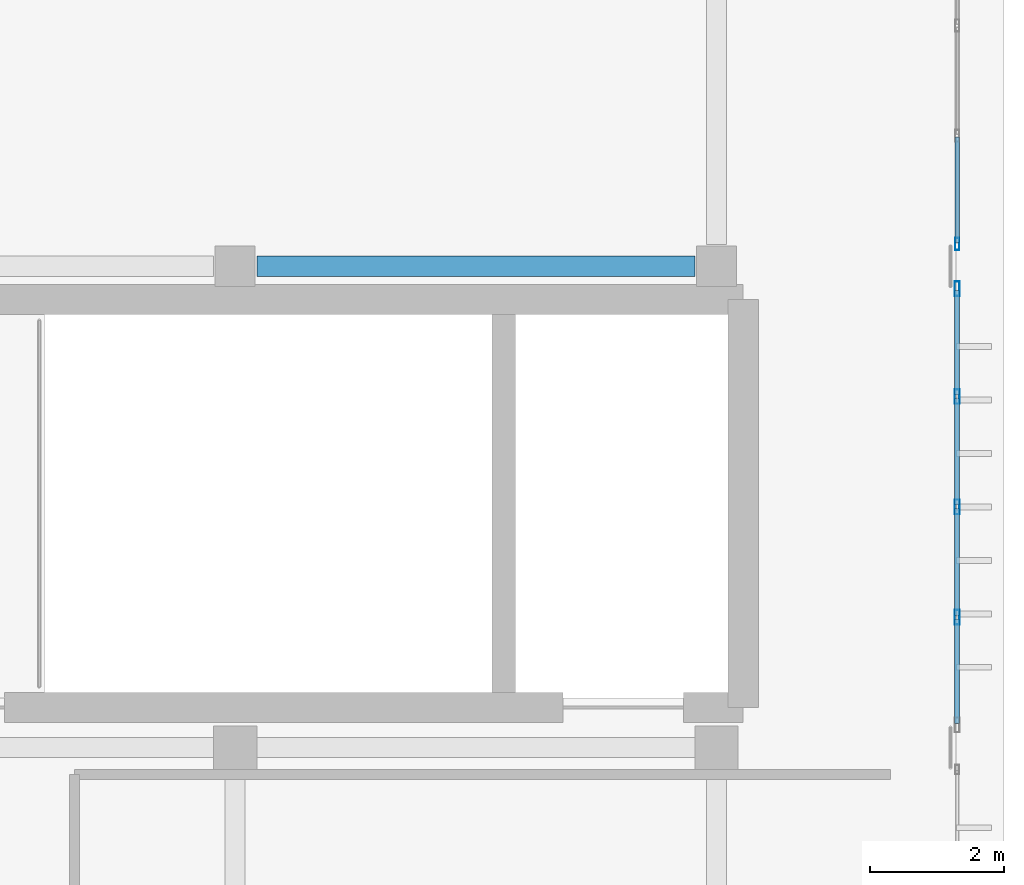
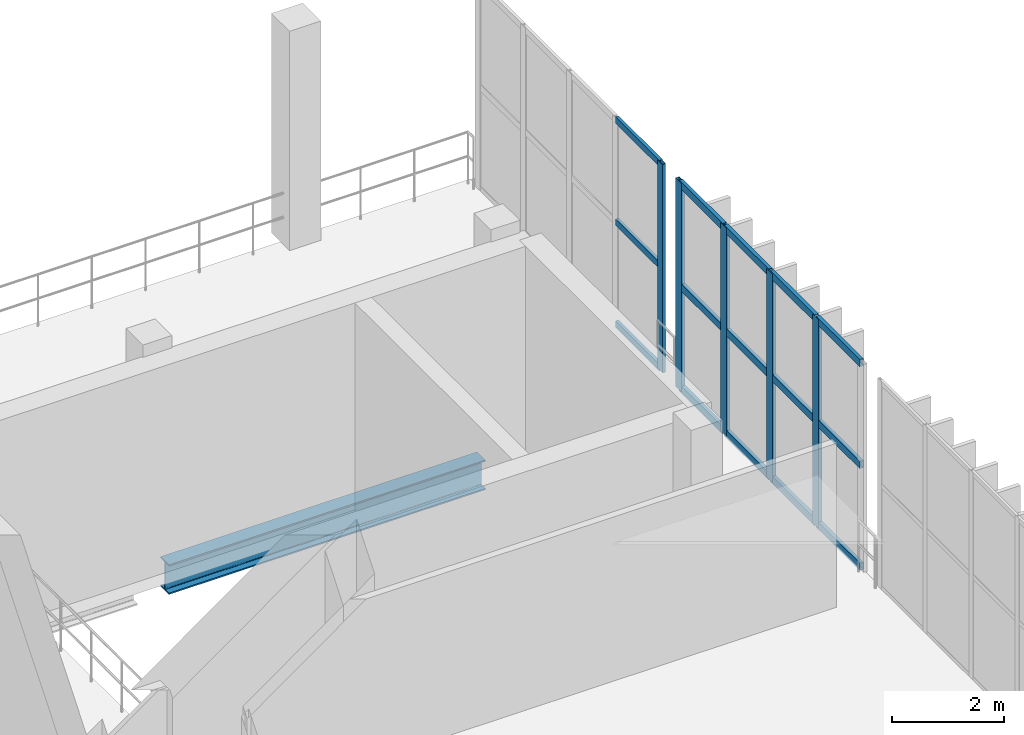
# One storey, part 66 of 105: 20 members, 1 beam, 2 elements without a shape of their own.
"""IFC4 building model written with IfcOpenShell, lengths in metres."""

import ifcopenshell
import ifcopenshell.guid

model = None  # the IFC model being written
_history = None  # IfcOwnerHistory: only IFC2X3 demands one
_inside = {}  # id of a spatial element -> (the spatial element, [elements in it])
_under = {}  # id of a project, library or spatial element -> (it, [spatial elements below it])
_declared = {}  # id of a project -> (the project, [libraries it declares])
_typed = {}  # id of a type object -> (the type object, [elements of that type])
_made_of = {}  # id of a material, layer set ... -> (it, [elements and type objects made of it])


def new_model(schema):
    """Start an empty IFC model of exactly this schema.

    Asked for "IFC4X3", IfcOpenShell would pick the latest addendum, in which some entities
    have other attributes; the version numbers below select the first issue.
    IFC2X3 requires an IfcOwnerHistory on every rooted entity: one is made here for all.
    """
    global model, _history
    if schema == "IFC4X3":
        model = ifcopenshell.file(schema_version=(4, 3, 0, 0))
    else:
        model = ifcopenshell.file(schema=schema)
    _inside.clear()
    _under.clear()
    _declared.clear()
    _typed.clear()
    _made_of.clear()
    _history = None
    if model.schema == "IFC2X3":
        org = make("IfcOrganization", Name="unknown")
        user = make(
            "IfcPersonAndOrganization",
            ThePerson=make("IfcPerson", FamilyName="unknown"),
            TheOrganization=org,
        )
        app = make(
            "IfcApplication",
            ApplicationDeveloper=org,
            Version="unknown",
            ApplicationFullName="unknown",
            ApplicationIdentifier="unknown",
        )
        _history = make(
            "IfcOwnerHistory",
            OwningUser=user,
            OwningApplication=app,
            ChangeAction="ADDED",
            CreationDate=0,
        )
    return model


def make(cls, **values):
    """One entity of the class cls with the attributes given. An attribute that is None is left unset."""
    return model.create_entity(
        cls, **{name: value for name, value in values.items() if value is not None}
    )


def rooted(cls, **values):
    """An entity with a GlobalId (a new one), such as an element, a storey or a relation."""
    return make(cls, GlobalId=ifcopenshell.guid.new(), OwnerHistory=_history, **values)


def si_unit(unit_type, name, prefix=None):
    """IfcSIUnit, for example si_unit("LENGTHUNIT", "METRE", prefix="MILLI")."""
    return make("IfcSIUnit", UnitType=unit_type, Prefix=prefix, Name=name)


def assignment(units):
    """IfcUnitAssignment: the units of a project."""
    return None if units is None else make("IfcUnitAssignment", Units=units)


def point(xyz):
    """IfcCartesianPoint."""
    return None if xyz is None else make("IfcCartesianPoint", Coordinates=xyz)


def direction(xyz):
    """IfcDirection."""
    return None if xyz is None else make("IfcDirection", DirectionRatios=xyz)


def frame(location, z_axis=None, x_axis=None):
    """IfcAxis2Placement3D, a coordinate frame: its origin and axes. An axis left out is left unset."""
    return make(
        "IfcAxis2Placement3D",
        Location=point(location),
        Axis=direction(z_axis),
        RefDirection=direction(x_axis),
    )


def frame_2d(location, x_axis=None):
    """IfcAxis2Placement2D, a coordinate frame in the plane: its origin and x axis."""
    return make(
        "IfcAxis2Placement2D", Location=point(location), RefDirection=direction(x_axis)
    )


def origin():
    """The frame at (0, 0, 0) with its axes left unset."""
    return frame((0.0, 0.0, 0.0))


def origin_2d():
    """The frame at (0, 0) in the plane with its x axis left unset."""
    return frame_2d((0.0, 0.0))


def place(relative_to, where):
    """IfcLocalPlacement: puts the frame where relative to a parent placement (None: the world)."""
    return make(
        "IfcLocalPlacement", PlacementRelTo=relative_to, RelativePlacement=where
    )


def context(
    kind, dimensions, precision=None, world=None, true_north=None, identifier=None
):
    """IfcGeometricRepresentationContext, for example the 3D "Model" context."""
    return make(
        "IfcGeometricRepresentationContext",
        ContextIdentifier=identifier,
        ContextType=kind,
        CoordinateSpaceDimension=dimensions,
        Precision=precision,
        WorldCoordinateSystem=world,
        TrueNorth=true_north,
    )


def subcontext(parent, identifier, kind, view, scale=None):
    """IfcGeometricRepresentationSubContext, for example "Body" below "Model"."""
    return make(
        "IfcGeometricRepresentationSubContext",
        ContextIdentifier=identifier,
        ContextType=kind,
        ParentContext=parent,
        TargetScale=scale,
        TargetView=view,
    )


def project(units=None, contexts=None):
    """IfcProject with its units and contexts."""
    return rooted(
        "IfcProject",
        Name="project",
        RepresentationContexts=contexts,
        UnitsInContext=assignment(units),
    )


def spatial(cls, under=None, at=None, **own):
    """A site, building, storey or space (cls), placed at a placement, below another one or the project."""
    s = rooted(cls, ObjectPlacement=at, **own)
    if under is not None:
        _under.setdefault(under.id(), (under, []))[1].append(s)
    return s


def profile(cls, at=None, kind="AREA", **sizes):
    """A parametric profile (cls). Its sizes go by their IFC names, for example OverallWidth=200.0."""
    return make(cls, ProfileType=kind, Position=at, **sizes)


def hollow_rectangle(**sizes):
    """IfcRectangleHollowProfileDef."""
    return profile("IfcRectangleHollowProfileDef", **sizes)


def i_section(**sizes):
    """IfcIShapeProfileDef."""
    return profile("IfcIShapeProfileDef", **sizes)


def extrude(swept, where, along, depth):
    """IfcExtrudedAreaSolid: the profile swept, set in the frame where, extruded along a direction by depth."""
    return make(
        "IfcExtrudedAreaSolid",
        SweptArea=swept,
        Position=where,
        ExtrudedDirection=direction(along),
        Depth=depth,
    )


def shape(context_of_items, identifier, shape_type, items):
    """IfcShapeRepresentation: the items that make up one representation, for example the "Body"."""
    return make(
        "IfcShapeRepresentation",
        ContextOfItems=context_of_items,
        RepresentationIdentifier=identifier,
        RepresentationType=shape_type,
        Items=items,
    )


def material(Name=None, Category=None):
    """IfcMaterial."""
    return make("IfcMaterial", Name=Name, Category=Category)


def material_profile(
    of_material, cross_section, Name=None, Category=None, Priority=None
):
    """IfcMaterialProfile: a cross section and its material."""
    return make(
        "IfcMaterialProfile",
        Name=Name,
        Material=of_material,
        Profile=cross_section,
        Priority=Priority,
        Category=Category,
    )


def profile_set(profiles, Name=None, composite=None):
    """IfcMaterialProfileSet."""
    return make(
        "IfcMaterialProfileSet",
        Name=Name,
        MaterialProfiles=profiles,
        CompositeProfile=composite,
    )


def made_of(thing, what):
    """Note that an element or type object is made of a material, layer set ...; save() writes the relation."""
    if what is not None:
        _made_of.setdefault(what.id(), (what, []))[1].append(thing)
    return thing


def type_object(cls, material=None, **own):
    """A type object (cls), such as IfcWallType, which elements share."""
    return made_of(rooted(cls, **own), material)


def element(
    cls,
    number,
    at=None,
    inside=None,
    cuts=None,
    type_object=None,
    material=None,
    context=None,
    identifier="Body",
    shape_type=None,
    held_by="IfcProductDefinitionShape",
    body=None,
    shapes=None,
    **own,
):
    """One element of the class cls, such as IfcWall. Its Tag is "e" and its number.

    at: its placement. inside: the storey or other place that contains it. cuts: it is an
    opening in that element (IfcRelVoidsElement). A single representation is given by context,
    identifier, shape_type and body (its items); several are given by shapes. held_by: the class
    of the entity that holds the representations. save() writes the other relations.
    """
    e = rooted(cls, Tag="e%d" % number, ObjectPlacement=at, **own)
    if body is not None:
        shapes = [shape(context, identifier, shape_type, body)]
    if shapes is not None:
        e.Representation = make(held_by, Representations=shapes)
    if inside is not None:
        _inside.setdefault(inside.id(), (inside, []))[1].append(e)
    if cuts is not None:
        rooted(
            "IfcRelVoidsElement", RelatingBuildingElement=cuts, RelatedOpeningElement=e
        )
    if type_object is not None:
        _typed.setdefault(type_object.id(), (type_object, []))[1].append(e)
    return made_of(e, material)


def aggregate(whole, parts):
    """IfcRelAggregates: a whole, such as a stair, and the parts it consists of."""
    return rooted("IfcRelAggregates", RelatingObject=whole, RelatedObjects=parts)


def save(model, path):
    """Write the relations noted so far, then the file.

    IfcRelAggregates (storeys below a building ...), IfcRelContainedInSpatialStructure (elements
    in a storey), IfcRelDefinesByType, IfcRelAssociatesMaterial and IfcRelDeclares: one each for
    every whole, place, type object, material and project.
    """
    for whole, parts in _under.values():
        aggregate(whole, parts)
    for where, things in _inside.values():
        rooted(
            "IfcRelContainedInSpatialStructure",
            RelatedElements=things,
            RelatingStructure=where,
        )
    for kind, things in _typed.values():
        rooted("IfcRelDefinesByType", RelatedObjects=things, RelatingType=kind)
    for what, things in _made_of.values():
        rooted("IfcRelAssociatesMaterial", RelatedObjects=things, RelatingMaterial=what)
    for by, libraries in _declared.values():
        rooted("IfcRelDeclares", RelatingContext=by, RelatedDefinitions=libraries)
    model.write(path)


model = new_model("IFC4")

# Units and contexts
model_context = context("Model", 3, precision=1e-05, world=origin(), true_north=direction((0.0, 1.0)))
body_context = subcontext(model_context, "Body", "Model", "MODEL_VIEW")
ifc_project = project(units=[si_unit("LENGTHUNIT", "METRE"), si_unit("AREAUNIT", "SQUARE_METRE"), si_unit("VOLUMEUNIT", "CUBIC_METRE"), si_unit("PLANEANGLEUNIT", "RADIAN"), si_unit("MASSUNIT", "GRAM", prefix="KILO")], contexts=[model_context])

# Site, building, storey
site_placement = place(None, origin())
site = spatial("IfcSite", under=ifc_project, at=site_placement, CompositionType="ELEMENT")
building_placement = place(site_placement, origin())
building = spatial("IfcBuilding", under=site, at=building_placement, Name="Qandorah Velis Arena", CompositionType="ELEMENT")
storey_placement = place(building_placement, frame((0.0, 0.0, 13.800048828125)))
storey = spatial("IfcBuildingStorey", under=building, at=storey_placement, Name="L03", CompositionType="ELEMENT", Elevation=13.800048828125)

# Curtain wall, member
ifc_material_1 = material(Name="Solar-control low-E double glazing", Category="glass")
curtain_wall_type_1 = type_object("IfcCurtainWallType", Name="ARC-CW-SYS14", PredefinedType="USERDEFINED", material=ifc_material_1)
curtain_wall_1_placement = place(storey_placement, origin())
curtain_wall_1 = element("IfcCurtainWall", 1, at=curtain_wall_1_placement, inside=storey, type_object=curtain_wall_type_1, Name="Unitised curtain wall L03-158", ObjectType="UNITISED CURTAIN WALL", PredefinedType="USERDEFINED")
ifc_material_2 = material(Name="Champagne-bronze anodized aluminium 6063-T6", Category="aluminium")
ifc_material_profile_1 = material_profile(ifc_material_2, hollow_rectangle(XDim=0.06494140625, YDim=0.179931640625, WallThickness=0.00341796875, at=origin_2d()), Name="ALU MULLION 65x180")
ifc_profile_set_1 = profile_set([ifc_material_profile_1], Name="Champagne-bronze anodized aluminium 6063-T6")
member_type_1 = type_object("IfcMemberType", Name="ARC-CWM-180", PredefinedType="MULLION", material=ifc_profile_set_1)
member_1_placement = place(storey_placement, frame((169.199951171875, 86.732421875, -0.01513671875), z_axis=(0.0, 0.0, 1.0), x_axis=(-1.0, 0.0, 0.0)))
member_1 = element("IfcMember", 2, at=member_1_placement, type_object=member_type_1, Name="CW14 mullion 1", PredefinedType="MULLION", context=body_context, shape_type="SweptSolid", body=[
    extrude(hollow_rectangle(XDim=0.06494140625, YDim=0.179931640625, WallThickness=0.00341796875, at=origin_2d()), origin(), (0.0, 0.0, 1.0), 4.56005859375),
])

# Curtain wall, members
curtain_wall_type_2 = type_object("IfcCurtainWallType", Name="ARC-CW-SYS13", PredefinedType="USERDEFINED", material=ifc_material_1)
curtain_wall_2_placement = place(storey_placement, origin())
curtain_wall_2 = element("IfcCurtainWall", 3, at=curtain_wall_2_placement, inside=storey, type_object=curtain_wall_type_2, Name="Unitised curtain wall L03-157", ObjectType="UNITISED CURTAIN WALL", PredefinedType="USERDEFINED")
ifc_material_profile_2 = material_profile(ifc_material_2, hollow_rectangle(XDim=0.074951171875, YDim=0.219970703125, WallThickness=0.00390625, at=origin_2d()), Name="ALU MULLION 75x220")
ifc_profile_set_2 = profile_set([ifc_material_profile_2], Name="Champagne-bronze anodized aluminium 6063-T6")
member_type_2 = type_object("IfcMemberType", Name="ARC-CWM-220", PredefinedType="MULLION", material=ifc_profile_set_2)
member_2_placement = place(storey_placement, frame((169.199951171875, 81.14990234375, -0.01513671875), z_axis=(0.0, 0.0, 1.0), x_axis=(-1.0, 0.0, 0.0)))
member_2 = element("IfcMember", 4, at=member_2_placement, type_object=member_type_2, Name="CW13 mullion 2", PredefinedType="MULLION", context=body_context, shape_type="SweptSolid", body=[
    extrude(hollow_rectangle(XDim=0.074951171875, YDim=0.219970703125, WallThickness=0.00390625, at=origin_2d()), origin(), (0.0, 0.0, 1.0), 4.56005859375),
])
member_3_placement = place(storey_placement, frame((169.199951171875, 82.800048828125, -0.01513671875), z_axis=(0.0, 0.0, 1.0), x_axis=(-1.0, 0.0, 0.0)))
member_3 = element("IfcMember", 5, at=member_3_placement, type_object=member_type_2, Name="CW13 mullion 3", PredefinedType="MULLION", context=body_context, shape_type="SweptSolid", body=[
    extrude(hollow_rectangle(XDim=0.074951171875, YDim=0.219970703125, WallThickness=0.00390625, at=origin_2d()), origin(), (0.0, 0.0, 1.0), 4.56005859375),
])
member_4_placement = place(storey_placement, frame((169.199951171875, 84.449951171875, -0.01513671875), z_axis=(0.0, 0.0, 1.0), x_axis=(-1.0, 0.0, 0.0)))
member_4 = element("IfcMember", 6, at=member_4_placement, type_object=member_type_2, Name="CW13 mullion 4", PredefinedType="MULLION", context=body_context, shape_type="SweptSolid", body=[
    extrude(hollow_rectangle(XDim=0.074951171875, YDim=0.219970703125, WallThickness=0.00390625, at=origin_2d()), origin(), (0.0, 0.0, 1.0), 4.56005859375),
])
member_5_placement = place(storey_placement, frame((169.199951171875, 86.0625, -0.01513671875), z_axis=(0.0, 0.0, 1.0), x_axis=(-1.0, 0.0, 0.0)))
member_5 = element("IfcMember", 7, at=member_5_placement, type_object=member_type_2, Name="CW13 mullion 5", PredefinedType="MULLION", context=body_context, shape_type="SweptSolid", body=[
    extrude(hollow_rectangle(XDim=0.074951171875, YDim=0.219970703125, WallThickness=0.00390625, at=origin_2d()), origin(), (0.0, 0.0, 1.0), 4.56005859375),
])

# Member
ifc_material_profile_3 = material_profile(ifc_material_2, hollow_rectangle(XDim=0.06494140625, YDim=0.139892578125, WallThickness=0.0029296875, at=origin_2d()), Name="ALU TRANSOM 65x140")
ifc_profile_set_3 = profile_set([ifc_material_profile_3], Name="Champagne-bronze anodized aluminium 6063-T6")
member_type_3 = type_object("IfcMemberType", Name="ARC-CWT-140", PredefinedType="USERDEFINED", material=ifc_profile_set_3)
member_6_placement = place(storey_placement, frame((169.199951171875, 86.7529296875, 0.032470703125), z_axis=(0.0, 1.0, 0.0), x_axis=(-1.0, 0.0, 0.0)))
member_6 = element("IfcMember", 8, at=member_6_placement, type_object=member_type_3, Name="CW14 transom 1.1", ObjectType="TRANSOM", PredefinedType="USERDEFINED", context=body_context, shape_type="SweptSolid", body=[
    extrude(hollow_rectangle(XDim=0.06494140625, YDim=0.139892578125, WallThickness=0.0029296875, at=origin_2d()), origin(), (0.0, 0.0, 1.0), 1.57666015625),
])

member_7_placement = place(storey_placement, frame((169.199951171875, 86.7529296875, 2.264892578125), z_axis=(0.0, 1.0, 0.0), x_axis=(-1.0, 0.0, 0.0)))
member_7 = element("IfcMember", 9, at=member_7_placement, type_object=member_type_3, Name="CW14 transom 1.2", ObjectType="TRANSOM", PredefinedType="USERDEFINED", context=body_context, shape_type="SweptSolid", body=[
    extrude(hollow_rectangle(XDim=0.06494140625, YDim=0.139892578125, WallThickness=0.0029296875, at=origin_2d()), origin(), (0.0, 0.0, 1.0), 1.57666015625),
])

member_8_placement = place(storey_placement, frame((169.199951171875, 86.7529296875, 4.49755859375), z_axis=(0.0, 1.0, 0.0), x_axis=(-1.0, 0.0, 0.0)))
member_8 = element("IfcMember", 10, at=member_8_placement, type_object=member_type_3, Name="CW14 transom 1.3", ObjectType="TRANSOM", PredefinedType="USERDEFINED", context=body_context, shape_type="SweptSolid", body=[
    extrude(hollow_rectangle(XDim=0.06494140625, YDim=0.139892578125, WallThickness=0.0029296875, at=origin_2d()), origin(), (0.0, 0.0, 1.0), 1.57666015625),
])

aggregate(curtain_wall_1, [member_1, member_6, member_7, member_8])

ifc_material_profile_4 = material_profile(ifc_material_2, hollow_rectangle(XDim=0.074951171875, YDim=0.159912109375, WallThickness=0.00341796875, at=origin_2d()), Name="ALU TRANSOM 75x160")
ifc_profile_set_4 = profile_set([ifc_material_profile_4], Name="Champagne-bronze anodized aluminium 6063-T6")
member_type_4 = type_object("IfcMemberType", Name="ARC-CWT-160", PredefinedType="USERDEFINED", material=ifc_profile_set_4)
member_9_placement = place(storey_placement, frame((169.199951171875, 79.56298828125, 0.037353515625), z_axis=(0.0, 1.0, 0.0), x_axis=(-1.0, 0.0, 0.0)))
member_9 = element("IfcMember", 11, at=member_9_placement, type_object=member_type_4, Name="CW13 transom 1.1", ObjectType="TRANSOM", PredefinedType="USERDEFINED", context=body_context, shape_type="SweptSolid", body=[
    extrude(hollow_rectangle(XDim=0.074951171875, YDim=0.159912109375, WallThickness=0.00341796875, at=origin_2d()), origin(), (0.0, 0.0, 1.0), 1.5615234375),
])

member_10_placement = place(storey_placement, frame((169.199951171875, 79.56298828125, 2.264892578125), z_axis=(0.0, 1.0, 0.0), x_axis=(-1.0, 0.0, 0.0)))
member_10 = element("IfcMember", 12, at=member_10_placement, type_object=member_type_4, Name="CW13 transom 1.2", ObjectType="TRANSOM", PredefinedType="USERDEFINED", context=body_context, shape_type="SweptSolid", body=[
    extrude(hollow_rectangle(XDim=0.074951171875, YDim=0.159912109375, WallThickness=0.00341796875, at=origin_2d()), origin(), (0.0, 0.0, 1.0), 1.5615234375),
])

member_11_placement = place(storey_placement, frame((169.199951171875, 79.56298828125, 4.492431640625), z_axis=(0.0, 1.0, 0.0), x_axis=(-1.0, 0.0, 0.0)))
member_11 = element("IfcMember", 13, at=member_11_placement, type_object=member_type_4, Name="CW13 transom 1.3", ObjectType="TRANSOM", PredefinedType="USERDEFINED", context=body_context, shape_type="SweptSolid", body=[
    extrude(hollow_rectangle(XDim=0.074951171875, YDim=0.159912109375, WallThickness=0.00341796875, at=origin_2d()), origin(), (0.0, 0.0, 1.0), 1.5615234375),
])

member_12_placement = place(storey_placement, frame((169.199951171875, 81.175537109375, 0.037353515625), z_axis=(0.0, 1.0, 0.0), x_axis=(-1.0, 0.0, 0.0)))
member_12 = element("IfcMember", 14, at=member_12_placement, type_object=member_type_4, Name="CW13 transom 2.1", ObjectType="TRANSOM", PredefinedType="USERDEFINED", context=body_context, shape_type="SweptSolid", body=[
    extrude(hollow_rectangle(XDim=0.074951171875, YDim=0.159912109375, WallThickness=0.00341796875, at=origin_2d()), origin(), (0.0, 0.0, 1.0), 1.598876953125),
])

member_13_placement = place(storey_placement, frame((169.199951171875, 81.175537109375, 2.264892578125), z_axis=(0.0, 1.0, 0.0), x_axis=(-1.0, 0.0, 0.0)))
member_13 = element("IfcMember", 15, at=member_13_placement, type_object=member_type_4, Name="CW13 transom 2.2", ObjectType="TRANSOM", PredefinedType="USERDEFINED", context=body_context, shape_type="SweptSolid", body=[
    extrude(hollow_rectangle(XDim=0.074951171875, YDim=0.159912109375, WallThickness=0.00341796875, at=origin_2d()), origin(), (0.0, 0.0, 1.0), 1.598876953125),
])

member_14_placement = place(storey_placement, frame((169.199951171875, 81.175537109375, 4.492431640625), z_axis=(0.0, 1.0, 0.0), x_axis=(-1.0, 0.0, 0.0)))
member_14 = element("IfcMember", 16, at=member_14_placement, type_object=member_type_4, Name="CW13 transom 2.3", ObjectType="TRANSOM", PredefinedType="USERDEFINED", context=body_context, shape_type="SweptSolid", body=[
    extrude(hollow_rectangle(XDim=0.074951171875, YDim=0.159912109375, WallThickness=0.00341796875, at=origin_2d()), origin(), (0.0, 0.0, 1.0), 1.598876953125),
])

member_15_placement = place(storey_placement, frame((169.199951171875, 82.825439453125, 0.037353515625), z_axis=(0.0, 1.0, 0.0), x_axis=(-1.0, 0.0, 0.0)))
member_15 = element("IfcMember", 17, at=member_15_placement, type_object=member_type_4, Name="CW13 transom 3.1", ObjectType="TRANSOM", PredefinedType="USERDEFINED", context=body_context, shape_type="SweptSolid", body=[
    extrude(hollow_rectangle(XDim=0.074951171875, YDim=0.159912109375, WallThickness=0.00341796875, at=origin_2d()), origin(), (0.0, 0.0, 1.0), 1.59912109375),
])

member_16_placement = place(storey_placement, frame((169.199951171875, 82.825439453125, 2.264892578125), z_axis=(0.0, 1.0, 0.0), x_axis=(-1.0, 0.0, 0.0)))
member_16 = element("IfcMember", 18, at=member_16_placement, type_object=member_type_4, Name="CW13 transom 3.2", ObjectType="TRANSOM", PredefinedType="USERDEFINED", context=body_context, shape_type="SweptSolid", body=[
    extrude(hollow_rectangle(XDim=0.074951171875, YDim=0.159912109375, WallThickness=0.00341796875, at=origin_2d()), origin(), (0.0, 0.0, 1.0), 1.59912109375),
])

member_17_placement = place(storey_placement, frame((169.199951171875, 82.825439453125, 4.492431640625), z_axis=(0.0, 1.0, 0.0), x_axis=(-1.0, 0.0, 0.0)))
member_17 = element("IfcMember", 19, at=member_17_placement, type_object=member_type_4, Name="CW13 transom 3.3", ObjectType="TRANSOM", PredefinedType="USERDEFINED", context=body_context, shape_type="SweptSolid", body=[
    extrude(hollow_rectangle(XDim=0.074951171875, YDim=0.159912109375, WallThickness=0.00341796875, at=origin_2d()), origin(), (0.0, 0.0, 1.0), 1.59912109375),
])

member_18_placement = place(storey_placement, frame((169.199951171875, 84.4755859375, 0.037353515625), z_axis=(0.0, 1.0, 0.0), x_axis=(-1.0, 0.0, 0.0)))
member_18 = element("IfcMember", 20, at=member_18_placement, type_object=member_type_4, Name="CW13 transom 4.1", ObjectType="TRANSOM", PredefinedType="USERDEFINED", context=body_context, shape_type="SweptSolid", body=[
    extrude(hollow_rectangle(XDim=0.074951171875, YDim=0.159912109375, WallThickness=0.00341796875, at=origin_2d()), origin(), (0.0, 0.0, 1.0), 1.5615234375),
])

member_19_placement = place(storey_placement, frame((169.199951171875, 84.4755859375, 2.264892578125), z_axis=(0.0, 1.0, 0.0), x_axis=(-1.0, 0.0, 0.0)))
member_19 = element("IfcMember", 21, at=member_19_placement, type_object=member_type_4, Name="CW13 transom 4.2", ObjectType="TRANSOM", PredefinedType="USERDEFINED", context=body_context, shape_type="SweptSolid", body=[
    extrude(hollow_rectangle(XDim=0.074951171875, YDim=0.159912109375, WallThickness=0.00341796875, at=origin_2d()), origin(), (0.0, 0.0, 1.0), 1.5615234375),
])

member_20_placement = place(storey_placement, frame((169.199951171875, 84.4755859375, 4.492431640625), z_axis=(0.0, 1.0, 0.0), x_axis=(-1.0, 0.0, 0.0)))
member_20 = element("IfcMember", 22, at=member_20_placement, type_object=member_type_4, Name="CW13 transom 4.3", ObjectType="TRANSOM", PredefinedType="USERDEFINED", context=body_context, shape_type="SweptSolid", body=[
    extrude(hollow_rectangle(XDim=0.074951171875, YDim=0.159912109375, WallThickness=0.00341796875, at=origin_2d()), origin(), (0.0, 0.0, 1.0), 1.5615234375),
])

aggregate(curtain_wall_2, [member_2, member_3, member_4, member_5, member_9, member_10, member_11, member_12, member_13, member_14, member_15, member_16, member_17, member_18, member_19, member_20])

# Beam
ifc_material_3 = material(Name="Steel S355", Category="steel")
ifc_material_profile_5 = material_profile(ifc_material_3, i_section(OverallWidth=0.300048828125, OverallDepth=0.64990234375, WebThickness=0.01611328125, FlangeThickness=0.031005859375, FilletRadius=0.027099609375, at=origin_2d()), Name="HEB 650")
ifc_profile_set_5 = profile_set([ifc_material_profile_5], Name="Steel S355")
beam_type = type_object("IfcBeamType", Name="STR-BM-HEB650", PredefinedType="BEAM", material=ifc_profile_set_5)
beam_placement = place(storey_placement, frame((158.72509765625, 86.39990234375, -0.64501953125), z_axis=(1.0, 0.0, 0.0), x_axis=(0.0, 1.0, 0.0)))
element("IfcBeam", 23, at=beam_placement, inside=storey, type_object=beam_type, Name="Primary floor girder L03 X-110", PredefinedType="BEAM", context=body_context, shape_type="SweptSolid", body=[
    extrude(i_section(OverallWidth=0.300048828125, OverallDepth=0.64990234375, WebThickness=0.01611328125, FlangeThickness=0.031005859375, FilletRadius=0.027099609375, at=origin_2d()), origin(), (0.0, 0.0, 1.0), 6.5498046875),
])

save(model, "model.ifc")
